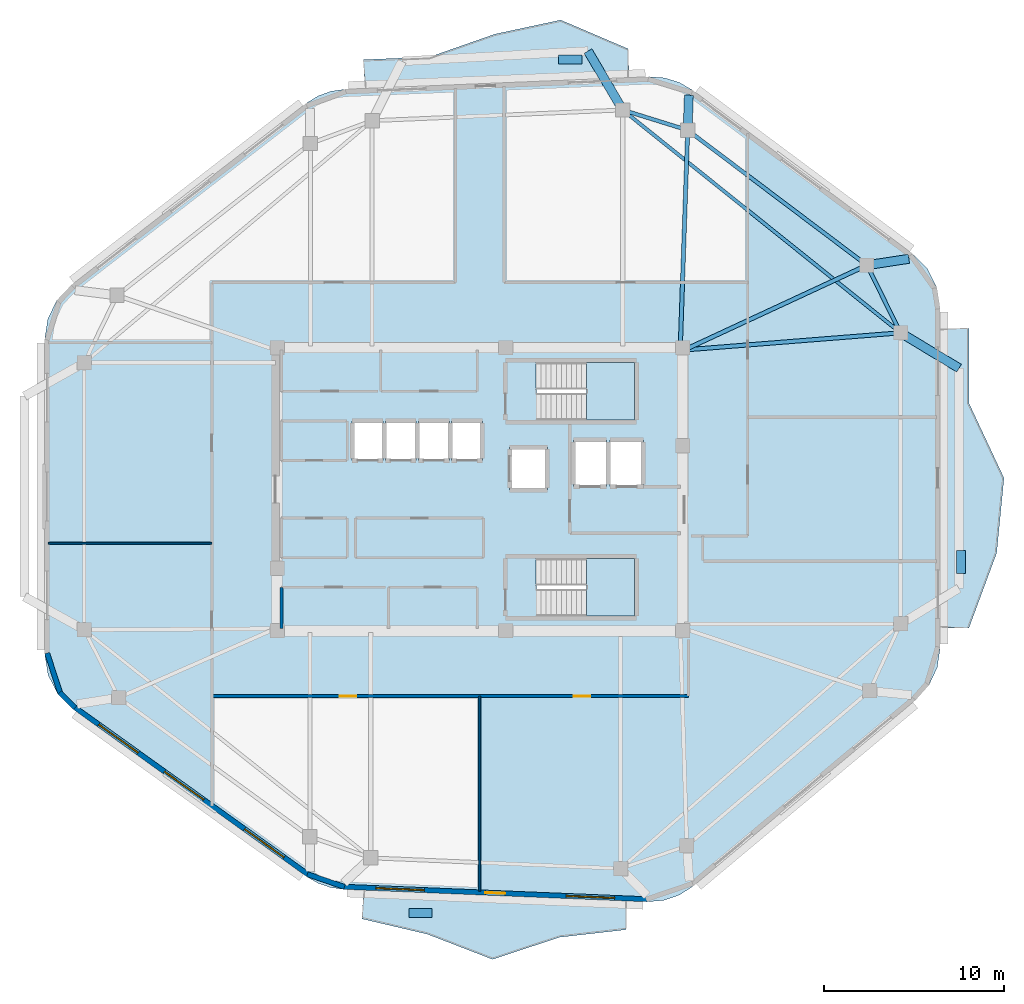
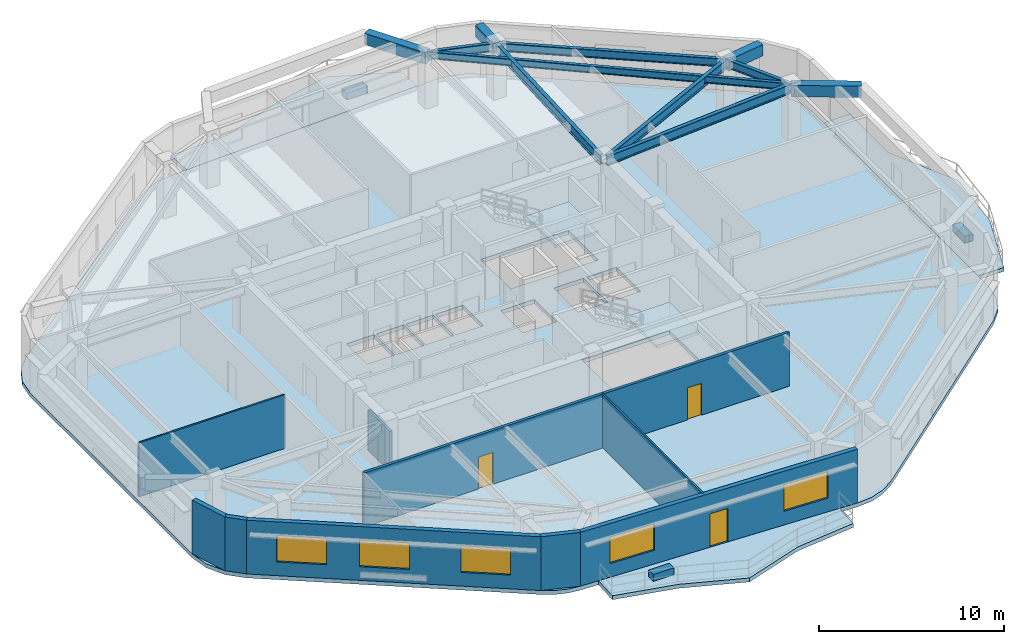
# One storey, part 2 of 8: 11 beams, 9 walls, 6 slabs, 5 windows, 3 doors, 3 plates, 8 openings, 2 elements without a shape of their own.
"""IFC4 building model written with IfcOpenShell, lengths in metres."""

from ifc_helpers import new_model, si_unit, direction, frame, frame_2d, origin, origin_2d, place, context, subcontext, project, spatial, polyline, rectangle, i_section, outline, extrude, material, layer, layer_set, material_profile, profile_set, type_object, element, fill, aggregate, save


model = new_model("IFC4")

# Units and contexts
model_context = context("Model", 3, precision=1e-05, world=origin(), true_north=direction((0.0, 1.0)))
body_context = subcontext(model_context, "Body", "Model", "MODEL_VIEW")
ifc_project = project(units=[si_unit("LENGTHUNIT", "METRE"), si_unit("AREAUNIT", "SQUARE_METRE"), si_unit("VOLUMEUNIT", "CUBIC_METRE"), si_unit("PLANEANGLEUNIT", "RADIAN"), si_unit("MASSUNIT", "GRAM", prefix="KILO")], contexts=[model_context])

# Site, building, storey
site_placement = place(None, origin())
site = spatial("IfcSite", under=ifc_project, at=site_placement, CompositionType="ELEMENT")
building_placement = place(site_placement, origin())
building = spatial("IfcBuilding", under=site, at=building_placement, Name="Zulverin Broadcast Headquarters", CompositionType="ELEMENT")
storey_placement = place(building_placement, frame((0.0, 0.0, 297.199951171875)))
storey = spatial("IfcBuildingStorey", under=building, at=storey_placement, Name="L76", CompositionType="ELEMENT", Elevation=297.199951171875)

# Beams
ifc_material_1 = material(Name="Concrete C40/50", Category="concrete")
ifc_material_profile_1 = material_profile(ifc_material_1, rectangle(XDim=0.5, YDim=0.75, at=origin_2d()), Name="Concrete C40/50", Category="concrete")
ifc_profile_set_1 = profile_set([ifc_material_profile_1], Name="Concrete C40/50")
beam_type_1 = type_object("IfcBeamType", Name="BM-RC-500x750", PredefinedType="BEAM", material=ifc_profile_set_1)
beam_1_placement = place(storey_placement, frame((58.52587890625, 37.661865234375, 3.1650390625), z_axis=(0.988495750069, 0.151248643286, 0.0), x_axis=(-0.151248643286, 0.988495750069, 0.0)))
element("IfcBeam", 1, at=beam_1_placement, inside=storey, type_object=beam_type_1, Name="L77 Plate Overhang Back-Spanned Beam OVR-07", PredefinedType="BEAM", context=body_context, shape_type="SweptSolid", body=[
    extrude(rectangle(XDim=0.5, YDim=0.75, at=origin_2d()), origin(), (0.0, 0.0, 1.0), 2.35986328125),
])
beam_2_placement = place(storey_placement, frame((48.55908203125, 45.172607421875, 3.1650390625), z_axis=(0.032637714701, 0.999467247877, 0.0), x_axis=(-0.999467247877, 0.032637714701, 0.0)))
element("IfcBeam", 2, at=beam_2_placement, inside=storey, type_object=beam_type_1, Name="L77 Plate Overhang Back-Spanned Beam OVR-08", PredefinedType="BEAM", context=body_context, shape_type="SweptSolid", body=[
    extrude(rectangle(XDim=0.5, YDim=0.75, at=origin_2d()), origin(), (0.0, 0.0, 1.0), 1.94482421875),
])
for number, where, z_axis, x_axis, name in (
    (3, (60.39990234375, 33.903076171875, 3.1650390625), (0.855759105742, -0.517374480371, 0.0), (0.517374480371, 0.855759105742, 0.0), "L77 Balcony Column-Framed Cantilever BAL_E-2"),
    (4, (44.944580078125, 46.296630859375, 3.1650390625), (-0.507354203034, 0.861737612422, 0.0), (-0.861737612422, -0.507354203034, 0.0), "L77 Balcony Column-Framed Cantilever BAL_N-1"),
):
    element("IfcBeam", number, at=place(storey_placement, frame(where, z_axis=z_axis, x_axis=x_axis)), inside=storey, type_object=beam_type_1, Name=name, PredefinedType="BEAM", context=body_context, shape_type="SweptSolid", body=[
        extrude(rectangle(XDim=0.5, YDim=0.75, at=origin_2d()), origin(), (0.0, 0.0, 1.0), 3.800048828125),
    ])
ifc_material_2 = material(Name="Structural steel S355JR", Category="steel")
ifc_material_profile_2 = material_profile(ifc_material_2, i_section(OverallWidth=0.19287109375, OverallDepth=0.46728515625, WebThickness=0.011474609375, FlangeThickness=0.01953125, at=origin_2d()), Name="Structural steel S355JR", Category="steel")
ifc_profile_set_2 = profile_set([ifc_material_profile_2], Name="Structural steel S355JR")
beam_type_2 = type_object("IfcBeamType", Name="BM-UB-457", PredefinedType="JOIST", material=ifc_profile_set_2)
beam_3_placement = place(storey_placement, frame((60.39990234375, 33.903076171875, 3.306396484375), z_axis=(-0.78014690603, 0.625596359493, 0.0), x_axis=(-0.625596359493, -0.78014690603, 0.0)))
element("IfcBeam", 5, at=beam_3_placement, inside=storey, type_object=beam_type_2, Name="L76 Chordal Floor Joist J-02", PredefinedType="JOIST", context=body_context, shape_type="SweptSolid", body=[
    extrude(i_section(OverallWidth=0.19287109375, OverallDepth=0.46728515625, WebThickness=0.011474609375, FlangeThickness=0.01953125, at=origin_2d()), origin(), (0.0, 0.0, 1.0), 19.810791015625),
])
ifc_material_profile_3 = material_profile(ifc_material_2, i_section(OverallWidth=0.2119140625, OverallDepth=0.54443359375, WebThickness=0.0126953125, FlangeThickness=0.021240234375, at=origin_2d()), Name="Structural steel S355JR", Category="steel")
ifc_profile_set_3 = profile_set([ifc_material_profile_3], Name="Structural steel S355JR")
beam_type_3 = type_object("IfcBeamType", Name="BM-UB-533", PredefinedType="SPANDREL", material=ifc_profile_set_3)
beam_4_placement = place(storey_placement, frame((60.39990234375, 33.903076171875, 3.267822265625), z_axis=(-0.446190250792, 0.894938131995, 0.0), x_axis=(-0.894938131995, -0.446190250792, 0.0)))
element("IfcBeam", 6, at=beam_4_placement, inside=storey, type_object=beam_type_3, Name="L76 Perimeter Spandrel Beam SP-06", PredefinedType="SPANDREL", context=body_context, shape_type="SweptSolid", body=[
    extrude(i_section(OverallWidth=0.2119140625, OverallDepth=0.54443359375, WebThickness=0.0126953125, FlangeThickness=0.021240234375, at=origin_2d()), origin(), (0.0, 0.0, 1.0), 4.199951171875),
])
beam_5_placement = place(storey_placement, frame((58.52587890625, 37.661865234375, 3.267822265625), z_axis=(-0.798626958847, 0.60182637081, 0.0), x_axis=(-0.60182637081, -0.798626958847, 0.0)))
element("IfcBeam", 7, at=beam_5_placement, inside=storey, type_object=beam_type_3, Name="L76 Perimeter Spandrel Beam SP-07", PredefinedType="SPANDREL", context=body_context, shape_type="SweptSolid", body=[
    extrude(i_section(OverallWidth=0.2119140625, OverallDepth=0.54443359375, WebThickness=0.0126953125, FlangeThickness=0.021240234375, at=origin_2d()), origin(), (0.0, 0.0, 1.0), 12.47998046875),
])
beam_6_placement = place(storey_placement, frame((48.55908203125, 45.172607421875, 3.267822265625), z_axis=(-0.954893359596, 0.296948938033, 0.0), x_axis=(-0.296948938033, -0.954893359596, 0.0)))
element("IfcBeam", 8, at=beam_6_placement, inside=storey, type_object=beam_type_3, Name="L76 Perimeter Spandrel Beam SP-08", PredefinedType="SPANDREL", context=body_context, shape_type="SweptSolid", body=[
    extrude(i_section(OverallWidth=0.2119140625, OverallDepth=0.54443359375, WebThickness=0.0126953125, FlangeThickness=0.021240234375, at=origin_2d()), origin(), (0.0, 0.0, 1.0), 3.78515625),
])
ifc_material_profile_4 = material_profile(ifc_material_2, i_section(OverallWidth=0.230224609375, OverallDepth=0.6171875, WebThickness=0.01318359375, FlangeThickness=0.022216796875, at=origin_2d()), Name="Structural steel S355JR", Category="steel")
ifc_profile_set_4 = profile_set([ifc_material_profile_4], Name="Structural steel S355JR")
beam_type_4 = type_object("IfcBeamType", Name="BM-UB-610", PredefinedType="BEAM", material=ifc_profile_set_4)
beam_7_placement = place(storey_placement, frame((48.375, 32.949951171875, 3.2314453125), z_axis=(0.996873444671, 0.079014779064, 0.0), x_axis=(-0.079014779064, 0.996873444671, 0.0)))
element("IfcBeam", 9, at=beam_7_placement, inside=storey, type_object=beam_type_4, Name="L76 Radial Primary Floor Beam RB-06", PredefinedType="BEAM", context=body_context, shape_type="SweptSolid", body=[
    extrude(i_section(OverallWidth=0.230224609375, OverallDepth=0.6171875, WebThickness=0.01318359375, FlangeThickness=0.022216796875, at=origin_2d()), origin(), (0.0, 0.0, 1.0), 12.0625),
])
beam_8_placement = place(storey_placement, frame((48.375, 32.949951171875, 3.2314453125), z_axis=(0.90704288978, 0.421038235912, 0.0), x_axis=(-0.421038235912, 0.90704288978, 0.0)))
element("IfcBeam", 10, at=beam_8_placement, inside=storey, type_object=beam_type_4, Name="L76 Radial Primary Floor Beam RB-07", PredefinedType="BEAM", context=body_context, shape_type="SweptSolid", body=[
    extrude(i_section(OverallWidth=0.230224609375, OverallDepth=0.6171875, WebThickness=0.01318359375, FlangeThickness=0.022216796875, at=origin_2d()), origin(), (0.0, 0.0, 1.0), 11.191162109375),
])
beam_9_placement = place(storey_placement, frame((48.14990234375, 33.175048828125, 3.2314453125), z_axis=(0.034085428247, 0.999418922965, 0.0), x_axis=(-0.999418922965, 0.034085428247, 0.0)))
element("IfcBeam", 11, at=beam_9_placement, inside=storey, type_object=beam_type_4, Name="L76 Radial Primary Floor Beam RB-08", PredefinedType="BEAM", context=body_context, shape_type="SweptSolid", body=[
    extrude(i_section(OverallWidth=0.230224609375, OverallDepth=0.6171875, WebThickness=0.01318359375, FlangeThickness=0.022216796875, at=origin_2d()), origin(), (0.0, 0.0, 1.0), 12.004638671875),
])

# Plates
ifc_material_3 = material(Name="Precast concrete C45/55", Category="concrete")
ifc_layer_1 = layer(ifc_material_3, 0.449951171875, Name="Precast concrete C45/55", Category="concrete")
ifc_layer_set_1 = layer_set([ifc_layer_1], Name="Precast concrete C45/55")
plate_type = type_object("IfcPlateType", Name="PT-01_PRECAST_GFRC_TREE_PLANTER", PredefinedType="USERDEFINED", material=ifc_layer_set_1)
for number, where, z_axis, x_axis, name in (
    (12, (63.75, 21.159423828125, -0.0048828125), (0.0, 0.0, 1.0), (0.0, 1.0, 0.0), "L76 Precast GFRC Tree Planter BAL_E"),
    (13, (33.700439453125, 1.626708984375, -0.0048828125), (0.0, 0.0, 1.0), (1.0, 0.0, 0.0), "L76 Precast GFRC Tree Planter BAL_S"),
    (14, (42.025390625, 49.115478515625, -0.0048828125), (0.0, 0.0, 1.0), (1.0, 0.0, 0.0), "L76 Precast GFRC Tree Planter BAL_N"),
):
    element("IfcPlate", number, at=place(storey_placement, frame(where, z_axis=z_axis, x_axis=x_axis)), inside=storey, type_object=plate_type, Name=name, ObjectType="PLANTER", PredefinedType="USERDEFINED", context=body_context, shape_type="SweptSolid", body=[
        extrude(rectangle(XDim=1.300048828125, YDim=0.5, at=origin_2d()), origin(), (0.0, 0.0, 1.0), 0.449951171875),
    ])

# Slabs
ifc_layer_2 = layer(ifc_material_1, 0.260009765625, Name="Concrete C40/50", Category="concrete")
ifc_layer_set_2 = layer_set([ifc_layer_2], Name="Concrete C40/50")
slab_type_1 = type_object("IfcSlabType", Name="SLB-BAL-260", PredefinedType="FLOOR", material=ifc_layer_set_2)
slab_1_placement = place(storey_placement, frame((0.0, 0.0, -0.260009765625)))
element("IfcSlab", 15, at=slab_1_placement, inside=storey, type_object=slab_type_1, Name="L76 Cantilevered Planted Balcony Slab BAL_E", PredefinedType="FLOOR", context=body_context, shape_type="SweptSolid", body=[
    extrude(outline(polyline([(62.60009765625, 34.150146484375), (62.60009765625, 17.49560546875), (64.199951171875, 17.49560546875), (65.7412109375, 21.6591796875), (66.14990234375, 25.82275390625), (64.199951171875, 29.986328125), (64.199951171875, 34.150146484375), (62.60009765625, 34.150146484375)])), origin(), (0.0, 0.0, 1.0), 0.260009765625),
])
slab_2_placement = place(storey_placement, frame((0.0, 0.0, -0.260009765625)))
element("IfcSlab", 16, at=slab_2_placement, inside=storey, type_object=slab_type_1, Name="L76 Cantilevered Planted Balcony Slab BAL_S", PredefinedType="FLOOR", context=body_context, shape_type="SweptSolid", body=[
    extrude(outline(polyline([(45.185302734375, 2.305419921875), (30.521728515625, 2.908203125), (30.4560546875, 1.3095703125), (34.093017578125, 0.454833984375), (37.707763671875, -0.940185546875), (41.430419921875, 0.2880859375), (45.11962890625, 0.706787109375), (45.185302734375, 2.305419921875)])), origin(), (0.0, 0.0, 1.0), 0.260009765625),
])
slab_3_placement = place(storey_placement, frame((0.0, 0.0, -0.260009765625)))
element("IfcSlab", 17, at=slab_3_placement, inside=storey, type_object=slab_type_1, Name="L76 Cantilevered Planted Balcony Slab BAL_N", PredefinedType="FLOOR", context=body_context, shape_type="SweptSolid", body=[
    extrude(outline(polyline([(30.598388671875, 47.4951171875), (45.308837890625, 48.099609375), (45.2431640625, 49.6982421875), (41.493408203125, 51.299560546875), (37.841796875, 50.51708984375), (34.210205078125, 49.244873046875), (30.532470703125, 49.093505859375), (30.598388671875, 47.4951171875)])), origin(), (0.0, 0.0, 1.0), 0.260009765625),
])

# Stair, slab
stair_type = type_object("IfcStairType", Name="ST-CORE-1500", PredefinedType="HALF_TURN_STAIR", material=ifc_material_1)
stair_1_placement = place(storey_placement, origin())
stair_1 = element("IfcStair", 18, at=stair_1_placement, inside=storey, type_object=stair_type, Name="L76 Core Exit Stair ST-1", PredefinedType="HALF_TURN_STAIR")
ifc_layer_3 = layer(ifc_material_1, 0.199951171875, Name="Concrete C40/50", Category="concrete")
ifc_layer_set_3 = layer_set([ifc_layer_3], Name="Concrete C40/50")
slab_type_2 = type_object("IfcSlabType", Name="SLB-ST-LND200", PredefinedType="LANDING", material=ifc_layer_set_3)
slab_4_placement = place(storey_placement, frame((0.0, 0.0, 1.699951171875)))
slab_4 = element("IfcSlab", 19, at=slab_4_placement, type_object=slab_type_2, Name="ST-1 landing 1", PredefinedType="LANDING", context=body_context, shape_type="SweptSolid", body=[
    extrude(outline(polyline([(42.929931640625, 29.050048828125), (45.60009765625, 29.050048828125), (45.60009765625, 32.25), (42.929931640625, 32.25), (42.929931640625, 29.050048828125)])), origin(), (0.0, 0.0, 1.0), 0.2001953125),
])
aggregate(stair_1, [slab_4])

stair_2_placement = place(storey_placement, origin())
stair_2 = element("IfcStair", 20, at=stair_2_placement, inside=storey, type_object=stair_type, Name="L76 Core Exit Stair ST-2", PredefinedType="HALF_TURN_STAIR")
slab_5_placement = place(storey_placement, frame((0.0, 0.0, 1.699951171875)))
slab_5 = element("IfcSlab", 21, at=slab_5_placement, type_object=slab_type_2, Name="ST-2 landing 1", PredefinedType="LANDING", context=body_context, shape_type="SweptSolid", body=[
    extrude(outline(polyline([(42.929931640625, 18.14990234375), (45.60009765625, 18.14990234375), (45.60009765625, 21.35009765625), (42.929931640625, 21.35009765625), (42.929931640625, 18.14990234375)])), origin(), (0.0, 0.0, 1.0), 0.2001953125),
])
aggregate(stair_2, [slab_5])

# Slab
ifc_layer_4 = layer(ifc_material_1, 0.260009765625, Name="Concrete C40/50", Category="concrete")
ifc_layer_set_4 = layer_set([ifc_layer_4], Name="Concrete C40/50")
slab_type_3 = type_object("IfcSlabType", Name="SLB-TWR-260", PredefinedType="FLOOR", material=ifc_layer_set_4)
slab_6_placement = place(storey_placement, frame((0.0, 0.0, -0.260009765625)))
element("IfcSlab", 22, at=slab_6_placement, inside=storey, type_object=slab_type_3, Name="L76 Main Structural Floor Slab", PredefinedType="FLOOR", context=body_context, shape_type="SweptSolid", body=[
    extrude(outline(polyline([(27.364990234375, 3.66162109375), (28.00048828125, 3.293212890625), (28.695068359375, 3.05419921875), (29.422607421875, 2.953369140625), (46.284423828125, 2.26025390625), (47.21337890625, 2.33642578125), (48.095703125, 2.63671875), (48.878662109375, 3.142333984375), (61.238037109375, 13.480712890625), (61.97265625, 14.30419921875), (62.439697265625, 15.3037109375), (62.60009765625, 16.3955078125), (62.60009765625, 35.25), (62.418212890625, 36.4111328125), (61.890625, 37.4609375), (61.0673828125, 38.299560546875), (48.831298828125, 47.3974609375), (48.087646484375, 47.8291015625), (47.265869140625, 48.08251953125), (46.407958984375, 48.144775390625), (29.499267578125, 47.44970703125), (28.726318359375, 47.337646484375), (27.992919921875, 47.070068359375), (27.329345703125, 46.657958984375), (14.274169921875, 36.552978515625), (13.481201171875, 35.71875), (12.974365234375, 34.685546875), (12.800048828125, 33.548095703125), (12.800048828125, 16.0517578125), (12.988525390625, 14.86962890625), (13.535400390625, 13.804931640625), (14.386474609375, 12.963134765625), (27.364990234375, 3.66162109375)]), holes=[polyline([(40.155029296875, 30.75), (40.130126953125, 30.75), (40.130126953125, 32.25), (45.60009765625, 32.25), (45.60009765625, 29.050048828125), (40.155029296875, 29.050048828125), (40.155029296875, 30.75)]), polyline([(40.155029296875, 19.85009765625), (40.130126953125, 19.85009765625), (40.130126953125, 21.35009765625), (45.60009765625, 21.35009765625), (45.60009765625, 18.14990234375), (40.155029296875, 18.14990234375), (40.155029296875, 19.85009765625)]), polyline([(29.89990234375, 26.800048828125), (31.6201171875, 26.800048828125), (31.6201171875, 29.0), (29.89990234375, 29.0), (29.89990234375, 26.800048828125)]), polyline([(31.739990234375, 26.800048828125), (33.4599609375, 26.800048828125), (33.4599609375, 29.0), (31.739990234375, 29.0), (31.739990234375, 26.800048828125)]), polyline([(33.580078125, 26.800048828125), (35.300048828125, 26.800048828125), (35.300048828125, 29.0), (33.580078125, 29.0), (33.580078125, 26.800048828125)]), polyline([(35.419921875, 26.800048828125), (37.139892578125, 26.800048828125), (37.139892578125, 29.0), (35.419921875, 29.0), (35.419921875, 26.800048828125)]), polyline([(42.199951171875, 25.35009765625), (44.050048828125, 25.35009765625), (44.050048828125, 27.949951171875), (42.199951171875, 27.949951171875), (42.199951171875, 25.35009765625)]), polyline([(44.25, 25.35009765625), (46.10009765625, 25.35009765625), (46.10009765625, 27.949951171875), (44.25, 27.949951171875), (44.25, 25.35009765625)]), polyline([(38.64990234375, 25.14990234375), (40.75, 25.14990234375), (40.75, 27.550048828125), (38.64990234375, 27.550048828125), (38.64990234375, 25.14990234375)])]), origin(), (0.0, 0.0, 1.0), 0.260009765625),
])

# Wall, openings, door, windows
ifc_material_4 = material(Name="Insulated pale-metal clad concrete spandrel C40/50", Category="concrete")
ifc_layer_5 = layer(ifc_material_4, 0.280029296875, Name="Insulated pale-metal clad concrete spandrel C40/50", Category="concrete")
ifc_layer_set_5 = layer_set([ifc_layer_5], Name="Insulated pale-metal clad concrete spandrel C40/50")
wall_type_1 = type_object("IfcWallType", Name="WL-EXT-280", PredefinedType="STANDARD", material=ifc_layer_set_5)
wall_1_placement = place(storey_placement, frame((29.42822265625, 3.09326171875, 0.0), z_axis=(0.0, 0.0, 1.0), x_axis=(0.999156257967, -0.041070331944, 0.0)))
wall_1 = element("IfcWall", 23, at=wall_1_placement, inside=storey, type_object=wall_type_1, Name="L76 Pale-Metal Clad Spandrel Wall 1", PredefinedType="STANDARD", context=body_context, shape_type="SweptSolid", body=[
    extrude(rectangle(XDim=16.876220703125, YDim=0.280029296875, at=frame_2d((8.43798828125, 0.0))), origin(), (0.0, 0.0, 1.0), 3.5400390625),
])
opening_1_placement = place(wall_1_placement, frame((7.88818359375, 0.0, 0.0)))
opening_1 = element("IfcOpeningElement", 24, at=opening_1_placement, cuts=wall_1, Name="Opening D-L76-TR1", PredefinedType="OPENING", context=body_context, shape_type="SweptSolid", body=[
    extrude(rectangle(XDim=1.10009765625, YDim=2.199951171875, at=frame_2d((0.550048828125, 1.10009765625))), frame((0.0, 0.14990234375, 0.0), z_axis=(0.0, -1.0, 0.0), x_axis=(1.0, 0.0, 0.0)), (0.0, 0.0, 1.0), 0.300048828125),
])
opening_2_placement = place(wall_1_placement, frame((1.7958984375, 0.0, 0.89990234375)))
opening_2 = element("IfcOpeningElement", 25, at=opening_2_placement, cuts=wall_1, Name="Opening W-L76-E11", PredefinedType="OPENING", context=body_context, shape_type="SweptSolid", body=[
    extrude(rectangle(XDim=2.699951171875, YDim=1.75, at=frame_2d((1.35009765625, 0.875))), frame((0.0, 0.14990234375, 0.0), z_axis=(0.0, -1.0, 0.0), x_axis=(1.0, 0.0, 0.0)), (0.0, 0.0, 1.0), 0.300048828125),
])
opening_3_placement = place(wall_1_placement, frame((12.380126953125, 0.0, 0.89990234375)))
opening_3 = element("IfcOpeningElement", 26, at=opening_3_placement, cuts=wall_1, Name="Opening W-L76-E12", PredefinedType="OPENING", context=body_context, shape_type="SweptSolid", body=[
    extrude(rectangle(XDim=2.699951171875, YDim=1.75, at=frame_2d((1.35009765625, 0.875))), frame((0.0, 0.14990234375, 0.0), z_axis=(0.0, -1.0, 0.0), x_axis=(1.0, 0.0, 0.0)), (0.0, 0.0, 1.0), 0.300048828125),
])
ifc_material_5 = material(Name="Thermally broken aluminium glazed", Category="aluminium")
door_type_1 = type_object("IfcDoorType", Name="DR-TERR-1100", OperationType="SINGLE_SWING_RIGHT", PredefinedType="DOOR", material=ifc_material_5)
door_1_placement = place(opening_1_placement, origin())
door_1 = element("IfcDoor", 27, at=door_1_placement, inside=storey, type_object=door_type_1, Name="L76 Planted Terrace Glazed Access Door 1", OperationType="SINGLE_SWING_RIGHT", OverallHeight=2.199951171875, OverallWidth=1.10009765625, PredefinedType="DOOR", context=body_context, shape_type="SweptSolid", body=[
    extrude(rectangle(XDim=1.10009765625, YDim=2.199951171875, at=frame_2d((0.550048828125, 1.10009765625))), frame((0.0, 0.02490234375, 0.0), z_axis=(0.0, -1.0, 0.0), x_axis=(1.0, 0.0, 0.0)), (0.0, 0.0, 1.0), 0.050048828125),
])
fill(opening_1, door_1)
ifc_material_6 = material(Name="Pale anodized aluminium frame with solar-control low-E double glazing", Category="aluminium")
window_type = type_object("IfcWindowType", Name="WIN-TWR-2700", PartitioningType="SINGLE_PANEL", PredefinedType="WINDOW", material=ifc_material_6)
window_1_placement = place(opening_2_placement, origin())
window_1 = element("IfcWindow", 28, at=window_1_placement, inside=storey, type_object=window_type, Name="L76 Ribbon Glazing Window 1 1", OverallHeight=1.75, OverallWidth=2.699951171875, PartitioningType="SINGLE_PANEL", PredefinedType="WINDOW", context=body_context, shape_type="SweptSolid", body=[
    extrude(rectangle(XDim=2.699951171875, YDim=1.75, at=frame_2d((1.35009765625, 0.875))), frame((0.0, 0.030029296875, 0.0), z_axis=(0.0, -1.0, 0.0), x_axis=(1.0, 0.0, 0.0)), (0.0, 0.0, 1.0), 0.06005859375),
])
fill(opening_2, window_1)
window_2_placement = place(opening_3_placement, origin())
window_2 = element("IfcWindow", 29, at=window_2_placement, inside=storey, type_object=window_type, Name="L76 Ribbon Glazing Window 1 2", OverallHeight=1.75, OverallWidth=2.699951171875, PartitioningType="SINGLE_PANEL", PredefinedType="WINDOW", context=body_context, shape_type="SweptSolid", body=[
    extrude(rectangle(XDim=2.699951171875, YDim=1.75, at=frame_2d((1.35009765625, 0.875))), frame((0.0, 0.030029296875, 0.0), z_axis=(0.0, -1.0, 0.0), x_axis=(1.0, 0.0, 0.0)), (0.0, 0.0, 1.0), 0.06005859375),
])
fill(opening_3, window_2)

# Wall, openings, windows
wall_2_placement = place(storey_placement, frame((14.468017578125, 13.076904296875, 0.0), z_axis=(0.0, 0.0, 1.0), x_axis=(0.812809888039, -0.582529042972, 0.0)))
wall_2 = element("IfcWall", 30, at=wall_2_placement, inside=storey, type_object=wall_type_1, Name="L76 Pale-Metal Clad Spandrel Wall 8", PredefinedType="STANDARD", context=body_context, shape_type="SweptSolid", body=[
    extrude(rectangle(XDim=15.967529296875, YDim=0.280029296875, at=frame_2d((7.98388671875, 0.0))), origin(), (0.0, 0.0, 1.0), 3.5400390625),
])
opening_4_placement = place(wall_2_placement, frame((1.64453125, 0.0, 0.89990234375)))
opening_4 = element("IfcOpeningElement", 31, at=opening_4_placement, cuts=wall_2, Name="Opening W-L76-E81", PredefinedType="OPENING", context=body_context, shape_type="SweptSolid", body=[
    extrude(rectangle(XDim=2.699951171875, YDim=1.75, at=frame_2d((1.35009765625, 0.875))), frame((0.0, 0.14990234375, 0.0), z_axis=(0.0, -1.0, 0.0), x_axis=(1.0, 0.0, 0.0)), (0.0, 0.0, 1.0), 0.300048828125),
])
opening_5_placement = place(wall_2_placement, frame((6.1337890625, 0.0, 0.89990234375)))
opening_5 = element("IfcOpeningElement", 32, at=opening_5_placement, cuts=wall_2, Name="Opening W-L76-E82", PredefinedType="OPENING", context=body_context, shape_type="SweptSolid", body=[
    extrude(rectangle(XDim=2.699951171875, YDim=1.75, at=frame_2d((1.35009765625, 0.875))), frame((0.0, 0.14990234375, 0.0), z_axis=(0.0, -1.0, 0.0), x_axis=(1.0, 0.0, 0.0)), (0.0, 0.0, 1.0), 0.300048828125),
])
opening_6_placement = place(wall_2_placement, frame((11.623046875, 0.0, 0.89990234375)))
opening_6 = element("IfcOpeningElement", 33, at=opening_6_placement, cuts=wall_2, Name="Opening W-L76-E83", PredefinedType="OPENING", context=body_context, shape_type="SweptSolid", body=[
    extrude(rectangle(XDim=2.699951171875, YDim=1.75, at=frame_2d((1.35009765625, 0.875))), frame((0.0, 0.14990234375, 0.0), z_axis=(0.0, -1.0, 0.0), x_axis=(1.0, 0.0, 0.0)), (0.0, 0.0, 1.0), 0.300048828125),
])
window_3_placement = place(opening_4_placement, origin())
window_3 = element("IfcWindow", 34, at=window_3_placement, inside=storey, type_object=window_type, Name="L76 Ribbon Glazing Window 8 1", OverallHeight=1.75, OverallWidth=2.699951171875, PartitioningType="SINGLE_PANEL", PredefinedType="WINDOW", context=body_context, shape_type="SweptSolid", body=[
    extrude(rectangle(XDim=2.699951171875, YDim=1.75, at=frame_2d((1.35009765625, 0.875))), frame((0.0, 0.030029296875, 0.0), z_axis=(0.0, -1.0, 0.0), x_axis=(1.0, 0.0, 0.0)), (0.0, 0.0, 1.0), 0.06005859375),
])
fill(opening_4, window_3)
window_4_placement = place(opening_5_placement, origin())
window_4 = element("IfcWindow", 35, at=window_4_placement, inside=storey, type_object=window_type, Name="L76 Ribbon Glazing Window 8 2", OverallHeight=1.75, OverallWidth=2.699951171875, PartitioningType="SINGLE_PANEL", PredefinedType="WINDOW", context=body_context, shape_type="SweptSolid", body=[
    extrude(rectangle(XDim=2.699951171875, YDim=1.75, at=frame_2d((1.35009765625, 0.875))), frame((0.0, 0.030029296875, 0.0), z_axis=(0.0, -1.0, 0.0), x_axis=(1.0, 0.0, 0.0)), (0.0, 0.0, 1.0), 0.06005859375),
])
fill(opening_5, window_4)
window_5_placement = place(opening_6_placement, origin())
window_5 = element("IfcWindow", 36, at=window_5_placement, inside=storey, type_object=window_type, Name="L76 Ribbon Glazing Window 8 3", OverallHeight=1.75, OverallWidth=2.699951171875, PartitioningType="SINGLE_PANEL", PredefinedType="WINDOW", context=body_context, shape_type="SweptSolid", body=[
    extrude(rectangle(XDim=2.699951171875, YDim=1.75, at=frame_2d((1.35009765625, 0.875))), frame((0.0, 0.030029296875, 0.0), z_axis=(0.0, -1.0, 0.0), x_axis=(1.0, 0.0, 0.0)), (0.0, 0.0, 1.0), 0.06005859375),
])
fill(opening_6, window_5)

# Walls
wall_3_placement = place(storey_placement, frame((12.93310546875, 16.09521484375, 0.0), z_axis=(0.0, 0.0, 1.0), x_axis=(0.3110492363, -0.950393798695, 0.0)))
element("IfcWall", 37, at=wall_3_placement, inside=storey, type_object=wall_type_1, Name="L76 Wind-Shaped Corner Spandrel Wall 7-1", PredefinedType="STANDARD", context=body_context, shape_type="SweptSolid", body=[
    extrude(rectangle(XDim=2.364013671875, YDim=0.280029296875, at=frame_2d((1.18212890625, 0.0))), origin(), (0.0, 0.0, 1.0), 3.5400390625),
])
wall_4_placement = place(storey_placement, frame((13.6337890625, 13.904296875, 0.0), z_axis=(0.0, 0.0, 1.0), x_axis=(0.710971221429, -0.703221104845, 0.0)))
element("IfcWall", 38, at=wall_4_placement, inside=storey, type_object=wall_type_1, Name="L76 Wind-Shaped Corner Spandrel Wall 7-2", PredefinedType="STANDARD", context=body_context, shape_type="SweptSolid", body=[
    extrude(rectangle(XDim=1.197021484375, YDim=0.280029296875, at=frame_2d((0.5986328125, 0.0))), origin(), (0.0, 0.0, 1.0), 3.5400390625),
])
wall_5_placement = place(storey_placement, frame((27.41064453125, 3.7939453125, 0.0), z_axis=(0.0, 0.0, 1.0), x_axis=(0.945552869008, -0.325468542121, 0.0)))
element("IfcWall", 39, at=wall_5_placement, inside=storey, type_object=wall_type_1, Name="L76 Wind-Shaped Corner Spandrel Wall 8-1", PredefinedType="STANDARD", context=body_context, shape_type="SweptSolid", body=[
    extrude(rectangle(XDim=2.176025390625, YDim=0.280029296875, at=frame_2d((1.087890625, 0.0))), origin(), (0.0, 0.0, 1.0), 3.5400390625),
])
ifc_material_7 = material(Name="Fire-rated acoustic laminated glass screen", Category="glass")
ifc_layer_6 = layer(ifc_material_7, 0.10009765625, Name="Fire-rated acoustic laminated glass screen", Category="glass")
ifc_layer_set_6 = layer_set([ifc_layer_6], Name="Fire-rated acoustic laminated glass screen")
wall_type_2 = type_object("IfcWallType", Name="WL-GLAZ-100", PredefinedType="PARTITIONING", material=ifc_layer_set_6)
wall_6_placement = place(storey_placement, frame((37.0, 2.846923828125, 0.0), z_axis=(0.0, 0.0, 1.0), x_axis=(0.0, 1.0, 0.0)))
element("IfcWall", 40, at=wall_6_placement, inside=storey, type_object=wall_type_2, Name="L76 Room Partition Wall RP-05", PredefinedType="PARTITIONING", context=body_context, shape_type="SweptSolid", body=[
    extrude(rectangle(XDim=10.85302734375, YDim=0.10009765625, at=frame_2d((5.426513671875, 0.0))), origin(), (0.0, 0.0, 1.0), 3.5400390625),
])
wall_7_placement = place(storey_placement, frame((13.0048828125, 22.199951171875, 0.0), z_axis=(0.0, 0.0, 1.0), x_axis=(1.0, 0.0, 0.0)))
element("IfcWall", 41, at=wall_7_placement, inside=storey, type_object=wall_type_2, Name="L76 Room Partition Wall RP-10", PredefinedType="PARTITIONING", context=body_context, shape_type="SweptSolid", body=[
    extrude(rectangle(XDim=9.09521484375, YDim=0.10009765625, at=frame_2d((4.547607421875, 0.0))), origin(), (0.0, 0.0, 1.0), 3.5400390625),
])
ifc_material_8 = material(Name="Fire-rated gypsum stud partition", Category="gypsum")
ifc_layer_7 = layer(ifc_material_8, 0.14990234375, Name="Fire-rated gypsum stud partition", Category="gypsum")
ifc_layer_set_7 = layer_set([ifc_layer_7], Name="Fire-rated gypsum stud partition")
wall_type_3 = type_object("IfcWallType", Name="WL-PART-150", PredefinedType="PARTITIONING", material=ifc_layer_set_7)
wall_8_placement = place(storey_placement, frame((25.969970703125, 17.449951171875, 0.0), z_axis=(0.0, 0.0, 1.0), x_axis=(0.0, 1.0, 0.0)))
element("IfcWall", 42, at=wall_8_placement, inside=storey, type_object=wall_type_3, Name="L76 Core Female WC West Wall", PredefinedType="PARTITIONING", context=body_context, shape_type="SweptSolid", body=[
    extrude(rectangle(XDim=2.300048828125, YDim=0.14990234375, at=frame_2d((1.14990234375, 0.0))), origin(), (0.0, 0.0, 1.0), 2.64013671875),
])

# Wall, openings, doors
ifc_material_9 = material(Name="Fire-rated acoustic stud wall", Category="gypsum")
ifc_layer_8 = layer(ifc_material_9, 0.175048828125, Name="Fire-rated acoustic stud wall", Category="gypsum")
ifc_layer_set_8 = layer_set([ifc_layer_8], Name="Fire-rated acoustic stud wall")
wall_type_4 = type_object("IfcWallType", Name="WL-PART-175", PredefinedType="PARTITIONING", material=ifc_layer_set_8)
wall_9_placement = place(storey_placement, frame((22.10009765625, 13.699951171875, 0.0), z_axis=(0.0, 0.0, 1.0), x_axis=(1.0, 0.0, 0.0)))
wall_9 = element("IfcWall", 43, at=wall_9_placement, inside=storey, type_object=wall_type_4, Name="L76 Gallery Partition Wall CG-08", PredefinedType="PARTITIONING", context=body_context, shape_type="SweptSolid", body=[
    extrude(rectangle(XDim=26.5, YDim=0.175048828125, at=frame_2d((13.25, 0.0))), origin(), (0.0, 0.0, 1.0), 3.5400390625),
])
opening_7_placement = place(wall_9_placement, frame((7.1201171875, 0.0, 0.0)))
opening_7 = element("IfcOpeningElement", 44, at=opening_7_placement, cuts=wall_9, Name="Opening D-L76-03", PredefinedType="OPENING", context=body_context, shape_type="SweptSolid", body=[
    extrude(rectangle(XDim=0.89990234375, YDim=2.10009765625, at=frame_2d((0.449951171875, 1.050048828125))), frame((0.0, 0.097412109375, 0.0), z_axis=(0.0, -1.0, 0.0), x_axis=(1.0, 0.0, 0.0)), (0.0, 0.0, 1.0), 0.195068359375),
])
opening_8_placement = place(wall_9_placement, frame((20.1298828125, 0.0, 0.0)))
opening_8 = element("IfcOpeningElement", 45, at=opening_8_placement, cuts=wall_9, Name="Opening D-L76-04", PredefinedType="OPENING", context=body_context, shape_type="SweptSolid", body=[
    extrude(rectangle(XDim=0.89990234375, YDim=2.10009765625, at=frame_2d((0.449951171875, 1.050048828125))), frame((0.0, 0.097412109375, 0.0), z_axis=(0.0, -1.0, 0.0), x_axis=(1.0, 0.0, 0.0)), (0.0, 0.0, 1.0), 0.195068359375),
])
ifc_material_10 = material(Name="Fire-rated hardwood veneer timber leaf", Category="wood")
door_type_2 = type_object("IfcDoorType", Name="DR-ROOM-900", OperationType="SINGLE_SWING_RIGHT", PredefinedType="DOOR", material=ifc_material_10)
door_2_placement = place(opening_7_placement, origin())
door_2 = element("IfcDoor", 46, at=door_2_placement, inside=storey, type_object=door_type_2, Name="L76 Production Briefing Room Door", OperationType="SINGLE_SWING_RIGHT", OverallHeight=2.10009765625, OverallWidth=0.89990234375, PredefinedType="DOOR", context=body_context, shape_type="SweptSolid", body=[
    extrude(rectangle(XDim=0.89990234375, YDim=2.10009765625, at=frame_2d((0.449951171875, 1.050048828125))), frame((0.0, 0.02490234375, 0.0), z_axis=(0.0, -1.0, 0.0), x_axis=(1.0, 0.0, 0.0)), (0.0, 0.0, 1.0), 0.050048828125),
])
fill(opening_7, door_2)
door_3_placement = place(opening_8_placement, origin())
door_3 = element("IfcDoor", 47, at=door_3_placement, inside=storey, type_object=door_type_2, Name="L76 Broadcast Preview Suite Door", OperationType="SINGLE_SWING_LEFT", OverallHeight=2.10009765625, OverallWidth=0.89990234375, PredefinedType="DOOR", context=body_context, shape_type="SweptSolid", body=[
    extrude(rectangle(XDim=0.89990234375, YDim=2.10009765625, at=frame_2d((0.449951171875, 1.050048828125))), frame((0.0, 0.02490234375, 0.0), z_axis=(0.0, -1.0, 0.0), x_axis=(1.0, 0.0, 0.0)), (0.0, 0.0, 1.0), 0.050048828125),
])
fill(opening_8, door_3)

save(model, "model.ifc")
